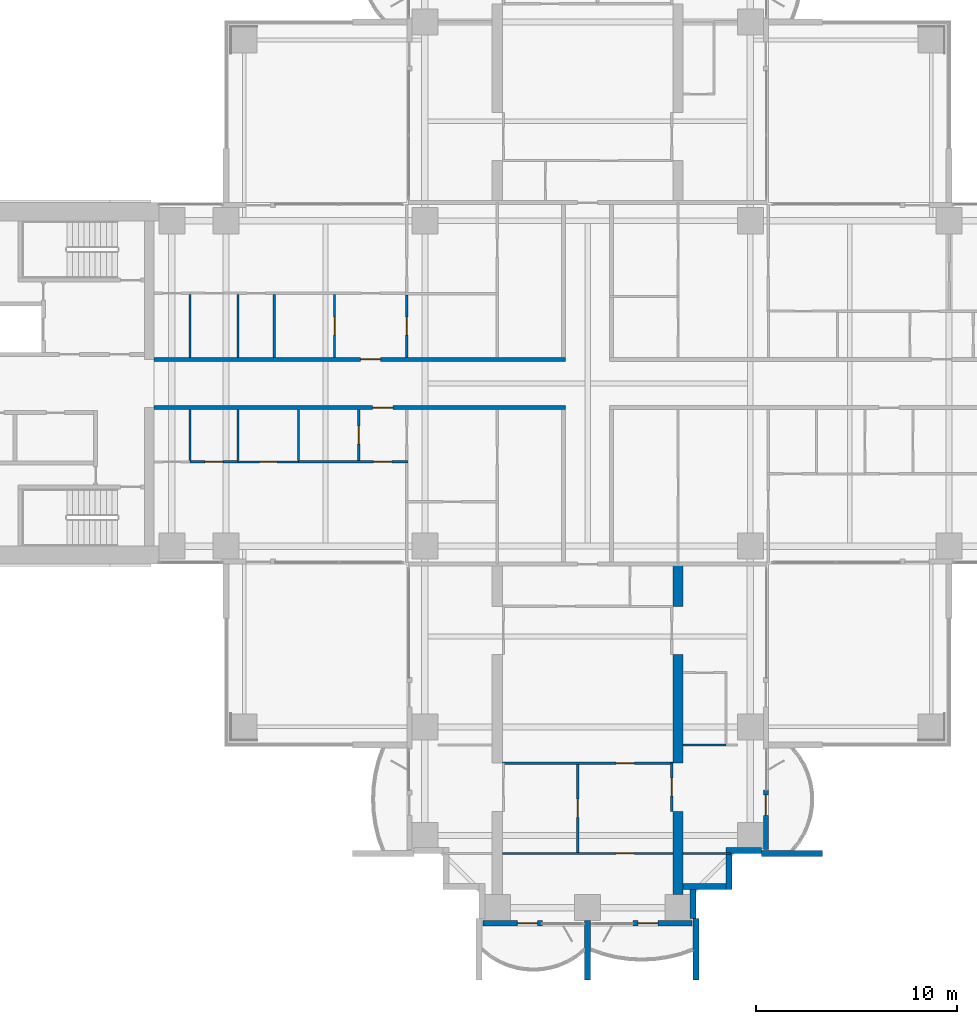
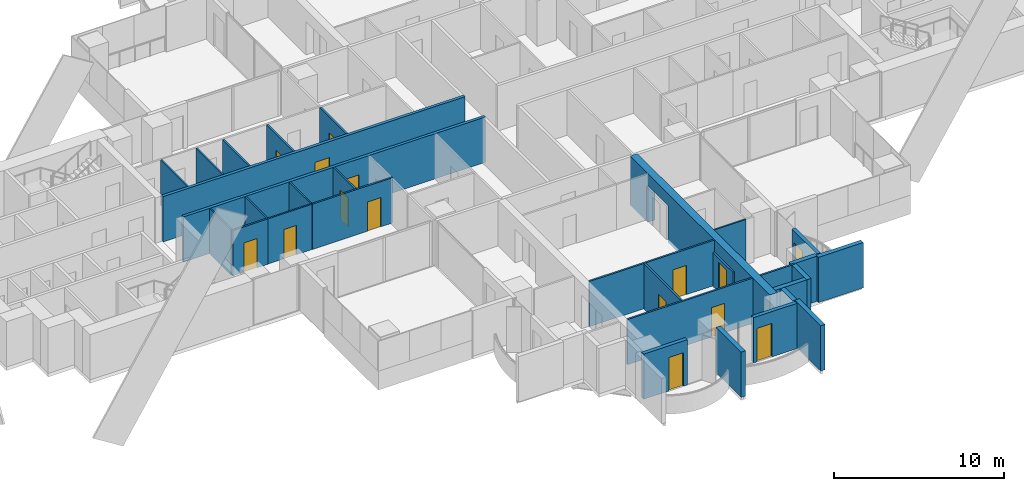
# One storey, part 12 of 21: 31 walls, 15 doors, 15 openings.
"""IFC4 building model written with IfcOpenShell, lengths in metres."""

from ifc_helpers import new_model, si_unit, direction, frame, frame_2d, origin, place, context, subcontext, project, spatial, polyline, rectangle, outline, extrude, material, layer, layer_set, material_profile, profile_set, type_object, element, fill, save


model = new_model("IFC4")

# Units and contexts
model_context = context("Model", 3, precision=1e-05, world=origin(), true_north=direction((0.0, 1.0)))
body_context = subcontext(model_context, "Body", "Model", "MODEL_VIEW")
ifc_project = project(units=[si_unit("LENGTHUNIT", "METRE"), si_unit("AREAUNIT", "SQUARE_METRE"), si_unit("VOLUMEUNIT", "CUBIC_METRE"), si_unit("PLANEANGLEUNIT", "RADIAN"), si_unit("MASSUNIT", "GRAM", prefix="KILO")], contexts=[model_context])

# Site, building, storey
site_placement = place(None, origin())
site = spatial("IfcSite", under=ifc_project, at=site_placement, CompositionType="ELEMENT")
building_placement = place(site_placement, origin())
building = spatial("IfcBuilding", under=site, at=building_placement, Name="Perihelion Cross Residences", CompositionType="ELEMENT")
storey_placement = place(building_placement, frame((0.0, 0.0, 75.0)))
storey = spatial("IfcBuildingStorey", under=building, at=storey_placement, Name="L16", CompositionType="ELEMENT", Elevation=75.0)

# Wall, opening, door
ifc_material_1 = material(Name="Plasterboard partition")
ifc_layer_1 = layer(ifc_material_1, 0.199951171875)
ifc_layer_set_1 = layer_set([ifc_layer_1], Name="Apartment separation wall 200")
wall_type_1 = type_object("IfcWallType", Name="Apartment separation wall 200", PredefinedType="PARTITIONING", material=ifc_layer_set_1)
wall_1_placement = place(storey_placement, frame((-21.60009765625, 1.199951171875, 0.0), z_axis=(0.0, 0.0, 1.0), x_axis=(1.0, 0.0, 0.0)))
wall_1 = element("IfcWall", 1, at=wall_1_placement, inside=storey, type_object=wall_type_1, Name="Partition L16 W005", PredefinedType="PARTITIONING", context=body_context, shape_type="SweptSolid", body=[
    extrude(rectangle(XDim=20.5, YDim=0.199951171875, at=frame_2d((10.25, 0.0))), origin(), (0.0, 0.0, 1.0), 3.25),
])
opening_1_placement = place(wall_1_placement, frame((10.300048828125, 0.0, 0.0)))
opening_1 = element("IfcOpeningElement", 2, at=opening_1_placement, cuts=wall_1, Name="Opening L16.A48", PredefinedType="OPENING", context=body_context, shape_type="SweptSolid", body=[
    extrude(rectangle(XDim=1.0, YDim=2.10009765625, at=frame_2d((0.5, 1.050048828125))), frame((0.0, 0.10986328125, 0.0), z_axis=(0.0, -1.0, 0.0), x_axis=(1.0, 0.0, 0.0)), (0.0, 0.0, 1.0), 0.219970703125),
])
ifc_material_2 = material(Name="Timber door leaf", Category="wood")
door_type_1 = type_object("IfcDoorType", Name="Flat entrance door 1000 x 2100", OperationType="SINGLE_SWING_LEFT", PredefinedType="DOOR", material=ifc_material_2)
door_1_placement = place(opening_1_placement, origin())
door_1 = element("IfcDoor", 3, at=door_1_placement, inside=storey, type_object=door_type_1, Name="Door L16.A48", OperationType="SINGLE_SWING_RIGHT", OverallHeight=2.10009765625, OverallWidth=1.0, PredefinedType="DOOR", context=body_context, shape_type="SweptSolid", body=[
    extrude(rectangle(XDim=1.0, YDim=2.10009765625, at=frame_2d((0.5, 1.050048828125))), frame((0.0, 0.02490234375, 0.0), z_axis=(0.0, -1.0, 0.0), x_axis=(1.0, 0.0, 0.0)), (0.0, 0.0, 1.0), 0.050048828125),
])
fill(opening_1, door_1)

wall_2_placement = place(storey_placement, frame((-1.10009765625, -1.199951171875, 0.0), z_axis=(0.0, 0.0, 1.0), x_axis=(-1.0, 0.0, 0.0)))
wall_2 = element("IfcWall", 4, at=wall_2_placement, inside=storey, type_object=wall_type_1, Name="Partition L16 W007", PredefinedType="PARTITIONING", context=body_context, shape_type="SweptSolid", body=[
    extrude(rectangle(XDim=20.5, YDim=0.199951171875, at=frame_2d((10.25, 0.0))), origin(), (0.0, 0.0, 1.0), 3.25),
])
opening_2_placement = place(wall_2_placement, frame((8.60009765625, 0.0, 0.0)))
opening_2 = element("IfcOpeningElement", 5, at=opening_2_placement, cuts=wall_2, Name="Opening L16.A49", PredefinedType="OPENING", context=body_context, shape_type="SweptSolid", body=[
    extrude(rectangle(XDim=1.0, YDim=2.10009765625, at=frame_2d((0.5, 1.050048828125))), frame((0.0, 0.10986328125, 0.0), z_axis=(0.0, -1.0, 0.0), x_axis=(1.0, 0.0, 0.0)), (0.0, 0.0, 1.0), 0.219970703125),
])
door_2_placement = place(opening_2_placement, origin())
door_2 = element("IfcDoor", 6, at=door_2_placement, inside=storey, type_object=door_type_1, Name="Door L16.A49", OperationType="SINGLE_SWING_LEFT", OverallHeight=2.10009765625, OverallWidth=1.0, PredefinedType="DOOR", context=body_context, shape_type="SweptSolid", body=[
    extrude(rectangle(XDim=1.0, YDim=2.10009765625, at=frame_2d((0.5, 1.050048828125))), frame((0.0, 0.02490234375, 0.0), z_axis=(0.0, -1.0, 0.0), x_axis=(1.0, 0.0, 0.0)), (0.0, 0.0, 1.0), 0.050048828125),
])
fill(opening_2, door_2)

ifc_material_3 = material(Name="Concrete C30/37, bronze-clad", Category="concrete")
ifc_layer_2 = layer(ifc_material_3, 0.25)
ifc_layer_set_2 = layer_set([ifc_layer_2], Name="Bronze-clad pier wall 250")
wall_type_2 = type_object("IfcWallType", Name="Bronze-clad pier wall 250", PredefinedType="SOLIDWALL", material=ifc_layer_set_2)
wall_3_placement = place(storey_placement, frame((-5.199951171875, -26.875, 0.0), z_axis=(0.0, 0.0, 1.0), x_axis=(1.0, 0.0, 0.0)))
wall_3 = element("IfcWall", 7, at=wall_3_placement, inside=storey, type_object=wall_type_2, Name="Wall FW1 L16 south tip south bay 1 pier", PredefinedType="SOLIDWALL", context=body_context, shape_type="SweptSolid", body=[
    extrude(rectangle(XDim=2.949951171875, YDim=0.25, at=frame_2d((1.47509765625, 0.0))), origin(), (0.0, 0.0, 1.0), 3.25),
])
opening_3_placement = place(wall_3_placement, frame((1.699951171875, 0.0, 0.0)))
opening_3 = element("IfcOpeningElement", 8, at=opening_3_placement, cuts=wall_3, Name="Opening L16.E12", PredefinedType="OPENING", context=body_context, shape_type="SweptSolid", body=[
    extrude(rectangle(XDim=1.0, YDim=2.39990234375, at=frame_2d((0.5, 1.199951171875))), frame((0.0, 0.135009765625, 0.0), z_axis=(0.0, -1.0, 0.0), x_axis=(1.0, 0.0, 0.0)), (0.0, 0.0, 1.0), 0.27001953125),
])
ifc_material_4 = material(Name="Bronze anodised aluminium, glazed", Category="aluminium")
door_type_2 = type_object("IfcDoorType", Name="Balcony door 1000 x 2400", OperationType="NOTDEFINED", PredefinedType="DOOR", material=ifc_material_4)
door_3_placement = place(opening_3_placement, origin())
door_3 = element("IfcDoor", 9, at=door_3_placement, inside=storey, type_object=door_type_2, Name="Door L16.E12 south tip south bay 1", OperationType="SINGLE_SWING_LEFT", OverallHeight=2.39990234375, OverallWidth=1.0, PredefinedType="DOOR", context=body_context, shape_type="SweptSolid", body=[
    extrude(rectangle(XDim=1.0, YDim=2.39990234375, at=frame_2d((0.5, 1.199951171875))), frame((0.0, 0.02490234375, 0.0), z_axis=(0.0, -1.0, 0.0), x_axis=(1.0, 0.0, 0.0)), (0.0, 0.0, 1.0), 0.050048828125),
])
fill(opening_3, door_3)

wall_4_placement = place(storey_placement, frame((2.25, -26.875, 0.0), z_axis=(0.0, 0.0, 1.0), x_axis=(1.0, 0.0, 0.0)))
wall_4 = element("IfcWall", 10, at=wall_4_placement, inside=storey, type_object=wall_type_2, Name="Wall FW1 L16 south tip south bay 2 pier", PredefinedType="SOLIDWALL", context=body_context, shape_type="SweptSolid", body=[
    extrude(rectangle(XDim=2.949951171875, YDim=0.25, at=frame_2d((1.47509765625, 0.0))), origin(), (0.0, 0.0, 1.0), 3.25),
])
opening_4_placement = place(wall_4_placement, frame((0.25, 0.0, 0.0)))
opening_4 = element("IfcOpeningElement", 11, at=opening_4_placement, cuts=wall_4, Name="Opening L16.E13", PredefinedType="OPENING", context=body_context, shape_type="SweptSolid", body=[
    extrude(rectangle(XDim=1.0, YDim=2.39990234375, at=frame_2d((0.5, 1.199951171875))), frame((0.0, 0.135009765625, 0.0), z_axis=(0.0, -1.0, 0.0), x_axis=(1.0, 0.0, 0.0)), (0.0, 0.0, 1.0), 0.27001953125),
])
door_4_placement = place(opening_4_placement, origin())
door_4 = element("IfcDoor", 12, at=door_4_placement, inside=storey, type_object=door_type_2, Name="Door L16.E13 south tip south bay 2", OperationType="SINGLE_SWING_RIGHT", OverallHeight=2.39990234375, OverallWidth=1.0, PredefinedType="DOOR", context=body_context, shape_type="SweptSolid", body=[
    extrude(rectangle(XDim=1.0, YDim=2.39990234375, at=frame_2d((0.5, 1.199951171875))), frame((0.0, 0.02490234375, 0.0), z_axis=(0.0, -1.0, 0.0), x_axis=(1.0, 0.0, 0.0)), (0.0, 0.0, 1.0), 0.050048828125),
])
fill(opening_4, door_4)

wall_5_placement = place(storey_placement, frame((8.875, -23.199951171875, 0.0), z_axis=(0.0, 0.0, 1.0), x_axis=(0.0, 1.0, 0.0)))
wall_5 = element("IfcWall", 13, at=wall_5_placement, inside=storey, type_object=wall_type_2, Name="Wall FW1 L16 south side east bay 1 pier", PredefinedType="SOLIDWALL", context=body_context, shape_type="SweptSolid", body=[
    extrude(rectangle(XDim=2.949951171875, YDim=0.25, at=frame_2d((1.47509765625, 0.0))), origin(), (0.0, 0.0, 1.0), 3.25),
])
opening_5_placement = place(wall_5_placement, frame((1.699951171875, 0.0, 0.0)))
opening_5 = element("IfcOpeningElement", 14, at=opening_5_placement, cuts=wall_5, Name="Opening L16.E14", PredefinedType="OPENING", context=body_context, shape_type="SweptSolid", body=[
    extrude(rectangle(XDim=1.0, YDim=2.39990234375, at=frame_2d((0.5, 1.199951171875))), frame((0.0, 0.135009765625, 0.0), z_axis=(0.0, -1.0, 0.0), x_axis=(1.0, 0.0, 0.0)), (0.0, 0.0, 1.0), 0.27001953125),
])
door_5_placement = place(opening_5_placement, origin())
door_5 = element("IfcDoor", 15, at=door_5_placement, inside=storey, type_object=door_type_2, Name="Door L16.E14 south side east bay 1", OperationType="SINGLE_SWING_LEFT", OverallHeight=2.39990234375, OverallWidth=1.0, PredefinedType="DOOR", context=body_context, shape_type="SweptSolid", body=[
    extrude(rectangle(XDim=1.0, YDim=2.39990234375, at=frame_2d((0.5, 1.199951171875))), frame((0.0, 0.02490234375, 0.0), z_axis=(0.0, -1.0, 0.0), x_axis=(1.0, 0.0, 0.0)), (0.0, 0.0, 1.0), 0.050048828125),
])
fill(opening_5, door_5)

# Walls
ifc_material_5 = material(Name="Concrete C30/37, bronze-clad", Category="concrete")
ifc_layer_3 = layer(ifc_material_5, 0.300048828125)
ifc_layer_set_3 = layer_set([ifc_layer_3], Name="Bronze-clad serration wall 300")
wall_type_3 = type_object("IfcWallType", Name="Bronze-clad serration wall 300", PredefinedType="SOLIDWALL", material=ifc_layer_set_3)
wall_6_placement = place(storey_placement, frame((5.25, -26.64990234375, 0.0), z_axis=(0.0, 0.0, 1.0), x_axis=(0.0, 1.0, 0.0)))
element("IfcWall", 16, at=wall_6_placement, inside=storey, type_object=wall_type_3, Name="Wall SR1 L16 south corner south-east 1", PredefinedType="SOLIDWALL", context=body_context, shape_type="SweptSolid", body=[
    extrude(rectangle(XDim=1.449951171875, YDim=0.300048828125, at=frame_2d((0.72509765625, 0.0))), origin(), (0.0, 0.0, 1.0), 3.25),
])
wall_7_placement = place(storey_placement, frame((4.75, -25.050048828125, 0.0), z_axis=(0.0, 0.0, 1.0), x_axis=(1.0, 0.0, 0.0)))
element("IfcWall", 17, at=wall_7_placement, inside=storey, type_object=wall_type_3, Name="Wall SR1 L16 south corner south-east 2", PredefinedType="SOLIDWALL", context=body_context, shape_type="SweptSolid", body=[
    extrude(rectangle(XDim=2.14990234375, YDim=0.300048828125, at=frame_2d((1.074951171875, 0.0))), origin(), (0.0, 0.0, 1.0), 3.25),
])
wall_8_placement = place(storey_placement, frame((7.050048828125, -25.199951171875, 0.0), z_axis=(0.0, 0.0, 1.0), x_axis=(0.0, 1.0, 0.0)))
element("IfcWall", 18, at=wall_8_placement, inside=storey, type_object=wall_type_3, Name="Wall SR1 L16 south corner south-east 3", PredefinedType="SOLIDWALL", context=body_context, shape_type="SweptSolid", body=[
    extrude(rectangle(XDim=1.800048828125, YDim=0.300048828125, at=frame_2d((0.89990234375, 0.0))), origin(), (0.0, 0.0, 1.0), 3.25),
])
wall_9_placement = place(storey_placement, frame((6.89990234375, -23.25, 0.0), z_axis=(0.0, 0.0, 1.0), x_axis=(1.0, 0.0, 0.0)))
element("IfcWall", 19, at=wall_9_placement, inside=storey, type_object=wall_type_3, Name="Wall SR1 L16 south corner south-east 4", PredefinedType="SOLIDWALL", context=body_context, shape_type="SweptSolid", body=[
    extrude(rectangle(XDim=1.75, YDim=0.300048828125, at=frame_2d((0.875, 0.0))), origin(), (0.0, 0.0, 1.0), 3.25),
])

# Wall, opening, door
ifc_material_6 = material(Name="Plasterboard partition")
ifc_layer_4 = layer(ifc_material_6, 0.1201171875)
ifc_layer_set_4 = layer_set([ifc_layer_4], Name="Infill panel 120")
wall_type_4 = type_object("IfcWallType", Name="Infill panel 120", PredefinedType="PARTITIONING", material=ifc_layer_set_4)
wall_10_placement = place(storey_placement, frame((4.18994140625, -18.89990234375, 0.0), z_axis=(0.0, 0.0, 1.0), x_axis=(0.0, -1.0, 0.0)))
wall_10 = element("IfcWall", 20, at=wall_10_placement, inside=storey, type_object=wall_type_4, Name="Partition L16 WI06", PredefinedType="PARTITIONING", context=body_context, shape_type="SweptSolid", body=[
    extrude(rectangle(XDim=2.400146484375, YDim=0.1201171875, at=frame_2d((1.2001953125, 0.0))), origin(), (0.0, 0.0, 1.0), 2.39990234375),
])
opening_6_placement = place(wall_10_placement, frame((0.75, 0.0, 0.0)))
opening_6 = element("IfcOpeningElement", 21, at=opening_6_placement, cuts=wall_10, Name="Opening L16.A55", PredefinedType="OPENING", context=body_context, shape_type="SweptSolid", body=[
    extrude(rectangle(XDim=0.89990234375, YDim=2.10009765625, at=frame_2d((0.449951171875, 1.050048828125))), frame((0.0, 0.070068359375, 0.0), z_axis=(0.0, -1.0, 0.0), x_axis=(1.0, 0.0, 0.0)), (0.0, 0.0, 1.0), 0.14013671875),
])
ifc_material_7 = material(Name="Timber door leaf", Category="wood")
door_type_3 = type_object("IfcDoorType", Name="Interior room door 900 x 2100", OperationType="SINGLE_SWING_LEFT", PredefinedType="DOOR", material=ifc_material_7)
door_6_placement = place(opening_6_placement, origin())
door_6 = element("IfcDoor", 22, at=door_6_placement, inside=storey, type_object=door_type_3, Name="Door L16.A55", OperationType="SINGLE_SWING_RIGHT", OverallHeight=2.10009765625, OverallWidth=0.89990234375, PredefinedType="DOOR", context=body_context, shape_type="SweptSolid", body=[
    extrude(rectangle(XDim=0.89990234375, YDim=2.10009765625, at=frame_2d((0.449951171875, 1.050048828125))), frame((0.0, 0.02490234375, 0.0), z_axis=(0.0, -1.0, 0.0), x_axis=(1.0, 0.0, 0.0)), (0.0, 0.0, 1.0), 0.050048828125),
])
fill(opening_6, door_6)

ifc_material_8 = material(Name="Plasterboard partition")
ifc_layer_5 = layer(ifc_material_8, 0.1201171875)
ifc_layer_set_5 = layer_set([ifc_layer_5], Name="Partition wall 120")
wall_type_5 = type_object("IfcWallType", Name="Partition wall 120", PredefinedType="PARTITIONING", material=ifc_layer_set_5)
wall_11_placement = place(storey_placement, frame((-12.60009765625, 1.300048828125, 0.0), z_axis=(0.0, 0.0, 1.0), x_axis=(0.0, 1.0, 0.0)))
wall_11 = element("IfcWall", 23, at=wall_11_placement, inside=storey, type_object=wall_type_5, Name="Partition L16 W031", PredefinedType="PARTITIONING", context=body_context, shape_type="SweptSolid", body=[
    extrude(rectangle(XDim=3.139892578125, YDim=0.1201171875, at=frame_2d((1.56982421875, 0.0))), origin(), (0.0, 0.0, 1.0), 3.25),
])
opening_7_placement = place(wall_11_placement, frame((1.1201171875, 0.0, 0.0)))
opening_7 = element("IfcOpeningElement", 24, at=opening_7_placement, cuts=wall_11, Name="Opening L16.A18", PredefinedType="OPENING", context=body_context, shape_type="SweptSolid", body=[
    extrude(rectangle(XDim=0.89990234375, YDim=2.10009765625, at=frame_2d((0.449951171875, 1.050048828125))), frame((0.0, 0.070068359375, 0.0), z_axis=(0.0, -1.0, 0.0), x_axis=(1.0, 0.0, 0.0)), (0.0, 0.0, 1.0), 0.14013671875),
])
door_7_placement = place(opening_7_placement, origin())
door_7 = element("IfcDoor", 25, at=door_7_placement, inside=storey, type_object=door_type_3, Name="Door L16.A18", OperationType="SINGLE_SWING_RIGHT", OverallHeight=2.10009765625, OverallWidth=0.89990234375, PredefinedType="DOOR", context=body_context, shape_type="SweptSolid", body=[
    extrude(rectangle(XDim=0.89990234375, YDim=2.10009765625, at=frame_2d((0.449951171875, 1.050048828125))), frame((0.0, 0.02490234375, 0.0), z_axis=(0.0, -1.0, 0.0), x_axis=(1.0, 0.0, 0.0)), (0.0, 0.0, 1.0), 0.050048828125),
])
fill(opening_7, door_7)

wall_12_placement = place(storey_placement, frame((-9.0, 4.416015625, 0.0), z_axis=(0.0, 0.0, 1.0), x_axis=(0.0, -1.0, 0.0)))
wall_12 = element("IfcWall", 26, at=wall_12_placement, inside=storey, type_object=wall_type_5, Name="Partition L16 W033", PredefinedType="PARTITIONING", context=body_context, shape_type="SweptSolid", body=[
    extrude(rectangle(XDim=3.115966796875, YDim=0.1201171875, at=frame_2d((1.55810546875, 0.0))), origin(), (0.0, 0.0, 1.0), 3.25),
])
opening_8_placement = place(wall_12_placement, frame((1.10791015625, 0.0, 0.0)))
opening_8 = element("IfcOpeningElement", 27, at=opening_8_placement, cuts=wall_12, Name="Opening L16.A19", PredefinedType="OPENING", context=body_context, shape_type="SweptSolid", body=[
    extrude(rectangle(XDim=0.89990234375, YDim=2.10009765625, at=frame_2d((0.449951171875, 1.050048828125))), frame((0.0, 0.070068359375, 0.0), z_axis=(0.0, -1.0, 0.0), x_axis=(1.0, 0.0, 0.0)), (0.0, 0.0, 1.0), 0.14013671875),
])
door_8_placement = place(opening_8_placement, origin())
door_8 = element("IfcDoor", 28, at=door_8_placement, inside=storey, type_object=door_type_3, Name="Door L16.A19", OperationType="SINGLE_SWING_RIGHT", OverallHeight=2.10009765625, OverallWidth=0.89990234375, PredefinedType="DOOR", context=body_context, shape_type="SweptSolid", body=[
    extrude(rectangle(XDim=0.89990234375, YDim=2.10009765625, at=frame_2d((0.449951171875, 1.050048828125))), frame((0.0, 0.02490234375, 0.0), z_axis=(0.0, -1.0, 0.0), x_axis=(1.0, 0.0, 0.0)), (0.0, 0.0, 1.0), 0.050048828125),
])
fill(opening_8, door_8)

# Wall
wall_13_placement = place(storey_placement, frame((-15.60009765625, 1.300048828125, 0.0), z_axis=(0.0, 0.0, 1.0), x_axis=(0.0, 1.0, 0.0)))
element("IfcWall", 29, at=wall_13_placement, inside=storey, type_object=wall_type_5, Name="Partition L16 W034", PredefinedType="PARTITIONING", context=body_context, shape_type="SweptSolid", body=[
    extrude(rectangle(XDim=3.139892578125, YDim=0.1201171875, at=frame_2d((1.56982421875, 0.0))), origin(), (0.0, 0.0, 1.0), 3.25),
])

# Wall, opening, door
wall_14_placement = place(storey_placement, frame((-11.39990234375, -3.840087890625, 0.0), z_axis=(0.0, 0.0, 1.0), x_axis=(0.0, 1.0, 0.0)))
wall_14 = element("IfcWall", 30, at=wall_14_placement, inside=storey, type_object=wall_type_5, Name="Partition L16 W042", PredefinedType="PARTITIONING", context=body_context, shape_type="SweptSolid", body=[
    extrude(rectangle(XDim=2.5400390625, YDim=0.1201171875, at=frame_2d((1.27001953125, 0.0))), origin(), (0.0, 0.0, 1.0), 3.25),
])
opening_9_placement = place(wall_14_placement, frame((0.820068359375, 0.0, 0.0)))
opening_9 = element("IfcOpeningElement", 31, at=opening_9_placement, cuts=wall_14, Name="Opening L16.A27", PredefinedType="OPENING", context=body_context, shape_type="SweptSolid", body=[
    extrude(rectangle(XDim=0.89990234375, YDim=2.10009765625, at=frame_2d((0.449951171875, 1.050048828125))), frame((0.0, 0.070068359375, 0.0), z_axis=(0.0, -1.0, 0.0), x_axis=(1.0, 0.0, 0.0)), (0.0, 0.0, 1.0), 0.14013671875),
])
door_9_placement = place(opening_9_placement, origin())
door_9 = element("IfcDoor", 32, at=door_9_placement, inside=storey, type_object=door_type_3, Name="Door L16.A27", OperationType="SINGLE_SWING_LEFT", OverallHeight=2.10009765625, OverallWidth=0.89990234375, PredefinedType="DOOR", context=body_context, shape_type="SweptSolid", body=[
    extrude(rectangle(XDim=0.89990234375, YDim=2.10009765625, at=frame_2d((0.449951171875, 1.050048828125))), frame((0.0, 0.02490234375, 0.0), z_axis=(0.0, -1.0, 0.0), x_axis=(1.0, 0.0, 0.0)), (0.0, 0.0, 1.0), 0.050048828125),
])
fill(opening_9, door_9)

wall_15_placement = place(storey_placement, frame((-8.93994140625, -3.89990234375, 0.0), z_axis=(0.0, 0.0, 1.0), x_axis=(-1.0, 0.0, 0.0)))
wall_15 = element("IfcWall", 33, at=wall_15_placement, inside=storey, type_object=wall_type_5, Name="Partition L16 W043", PredefinedType="PARTITIONING", context=body_context, shape_type="SweptSolid", body=[
    extrude(rectangle(XDim=5.4599609375, YDim=0.1201171875, at=frame_2d((2.72998046875, 0.0))), origin(), (0.0, 0.0, 1.0), 3.25),
])
opening_10_placement = place(wall_15_placement, frame((0.81005859375, 0.0, 0.0)))
opening_10 = element("IfcOpeningElement", 34, at=opening_10_placement, cuts=wall_15, Name="Opening L16.A30", PredefinedType="OPENING", context=body_context, shape_type="SweptSolid", body=[
    extrude(rectangle(XDim=0.89990234375, YDim=2.10009765625, at=frame_2d((0.449951171875, 1.050048828125))), frame((0.0, 0.070068359375, 0.0), z_axis=(0.0, -1.0, 0.0), x_axis=(1.0, 0.0, 0.0)), (0.0, 0.0, 1.0), 0.14013671875),
])
door_10_placement = place(opening_10_placement, origin())
door_10 = element("IfcDoor", 35, at=door_10_placement, inside=storey, type_object=door_type_3, Name="Door L16.A30", OperationType="SINGLE_SWING_LEFT", OverallHeight=2.10009765625, OverallWidth=0.89990234375, PredefinedType="DOOR", context=body_context, shape_type="SweptSolid", body=[
    extrude(rectangle(XDim=0.89990234375, YDim=2.10009765625, at=frame_2d((0.449951171875, 1.050048828125))), frame((0.0, 0.02490234375, 0.0), z_axis=(0.0, -1.0, 0.0), x_axis=(1.0, 0.0, 0.0)), (0.0, 0.0, 1.0), 0.050048828125),
])
fill(opening_10, door_10)

wall_16_placement = place(storey_placement, frame((-17.39990234375, -3.89990234375, 0.0), z_axis=(0.0, 0.0, 1.0), x_axis=(-1.0, 0.0, 0.0)))
wall_16 = element("IfcWall", 36, at=wall_16_placement, inside=storey, type_object=wall_type_5, Name="Partition L16 W049", PredefinedType="PARTITIONING", context=body_context, shape_type="SweptSolid", body=[
    extrude(rectangle(XDim=2.400146484375, YDim=0.1201171875, at=frame_2d((1.2001953125, 0.0))), origin(), (0.0, 0.0, 1.0), 3.25),
])
opening_11_placement = place(wall_16_placement, frame((0.75, 0.0, 0.0)))
opening_11 = element("IfcOpeningElement", 37, at=opening_11_placement, cuts=wall_16, Name="Opening L16.A31", PredefinedType="OPENING", context=body_context, shape_type="SweptSolid", body=[
    extrude(rectangle(XDim=0.89990234375, YDim=2.10009765625, at=frame_2d((0.449951171875, 1.050048828125))), frame((0.0, 0.070068359375, 0.0), z_axis=(0.0, -1.0, 0.0), x_axis=(1.0, 0.0, 0.0)), (0.0, 0.0, 1.0), 0.14013671875),
])
door_11_placement = place(opening_11_placement, origin())
door_11 = element("IfcDoor", 38, at=door_11_placement, inside=storey, type_object=door_type_3, Name="Door L16.A31", OperationType="SINGLE_SWING_LEFT", OverallHeight=2.10009765625, OverallWidth=0.89990234375, PredefinedType="DOOR", context=body_context, shape_type="SweptSolid", body=[
    extrude(rectangle(XDim=0.89990234375, YDim=2.10009765625, at=frame_2d((0.449951171875, 1.050048828125))), frame((0.0, 0.02490234375, 0.0), z_axis=(0.0, -1.0, 0.0), x_axis=(1.0, 0.0, 0.0)), (0.0, 0.0, 1.0), 0.050048828125),
])
fill(opening_11, door_11)

wall_17_placement = place(storey_placement, frame((4.25, -18.89990234375, 0.0), z_axis=(0.0, 0.0, 1.0), x_axis=(-1.0, 0.0, 0.0)))
wall_17 = element("IfcWall", 39, at=wall_17_placement, inside=storey, type_object=wall_type_5, Name="Partition L16 W069", PredefinedType="PARTITIONING", context=body_context, shape_type="SweptSolid", body=[
    extrude(rectangle(XDim=8.5, YDim=0.1201171875, at=frame_2d((4.25, 0.0))), origin(), (0.0, 0.0, 1.0), 3.25),
])
opening_12_placement = place(wall_17_placement, frame((1.925048828125, 0.0, 0.0)))
opening_12 = element("IfcOpeningElement", 40, at=opening_12_placement, cuts=wall_17, Name="Opening L16.A42", PredefinedType="OPENING", context=body_context, shape_type="SweptSolid", body=[
    extrude(rectangle(XDim=0.89990234375, YDim=2.10009765625, at=frame_2d((0.449951171875, 1.050048828125))), frame((0.0, 0.070068359375, 0.0), z_axis=(0.0, -1.0, 0.0), x_axis=(1.0, 0.0, 0.0)), (0.0, 0.0, 1.0), 0.14013671875),
])
door_12_placement = place(opening_12_placement, origin())
door_12 = element("IfcDoor", 41, at=door_12_placement, inside=storey, type_object=door_type_3, Name="Door L16.A42", OperationType="SINGLE_SWING_LEFT", OverallHeight=2.10009765625, OverallWidth=0.89990234375, PredefinedType="DOOR", context=body_context, shape_type="SweptSolid", body=[
    extrude(rectangle(XDim=0.89990234375, YDim=2.10009765625, at=frame_2d((0.449951171875, 1.050048828125))), frame((0.0, 0.02490234375, 0.0), z_axis=(0.0, -1.0, 0.0), x_axis=(1.0, 0.0, 0.0)), (0.0, 0.0, 1.0), 0.050048828125),
])
fill(opening_12, door_12)

wall_18_placement = place(storey_placement, frame((-0.5, -23.340087890625, 0.0), z_axis=(0.0, 0.0, 1.0), x_axis=(0.0, 1.0, 0.0)))
wall_18 = element("IfcWall", 42, at=wall_18_placement, inside=storey, type_object=wall_type_5, Name="Partition L16 W070", PredefinedType="PARTITIONING", context=body_context, shape_type="SweptSolid", body=[
    extrude(rectangle(XDim=4.380126953125, YDim=0.1201171875, at=frame_2d((2.18994140625, 0.0))), origin(), (0.0, 0.0, 1.0), 3.25),
])
opening_13_placement = place(wall_18_placement, frame((1.739990234375, 0.0, 0.0)))
opening_13 = element("IfcOpeningElement", 43, at=opening_13_placement, cuts=wall_18, Name="Opening L16.A43", PredefinedType="OPENING", context=body_context, shape_type="SweptSolid", body=[
    extrude(rectangle(XDim=0.89990234375, YDim=2.10009765625, at=frame_2d((0.449951171875, 1.050048828125))), frame((0.0, 0.070068359375, 0.0), z_axis=(0.0, -1.0, 0.0), x_axis=(1.0, 0.0, 0.0)), (0.0, 0.0, 1.0), 0.14013671875),
])
door_13_placement = place(opening_13_placement, origin())
door_13 = element("IfcDoor", 44, at=door_13_placement, inside=storey, type_object=door_type_3, Name="Door L16.A43", OperationType="SINGLE_SWING_RIGHT", OverallHeight=2.10009765625, OverallWidth=0.89990234375, PredefinedType="DOOR", context=body_context, shape_type="SweptSolid", body=[
    extrude(rectangle(XDim=0.89990234375, YDim=2.10009765625, at=frame_2d((0.449951171875, 1.050048828125))), frame((0.0, 0.02490234375, 0.0), z_axis=(0.0, -1.0, 0.0), x_axis=(1.0, 0.0, 0.0)), (0.0, 0.0, 1.0), 0.050048828125),
])
fill(opening_13, door_13)

wall_19_placement = place(storey_placement, frame((4.25, -23.39990234375, 0.0), z_axis=(0.0, 0.0, 1.0), x_axis=(-1.0, 0.0, 0.0)))
wall_19 = element("IfcWall", 45, at=wall_19_placement, inside=storey, type_object=wall_type_5, Name="Partition L16 W071", PredefinedType="PARTITIONING", context=body_context, shape_type="SweptSolid", body=[
    extrude(rectangle(XDim=8.5, YDim=0.1201171875, at=frame_2d((4.25, 0.0))), origin(), (0.0, 0.0, 1.0), 3.25),
])
opening_14_placement = place(wall_19_placement, frame((1.925048828125, 0.0, 0.0)))
opening_14 = element("IfcOpeningElement", 46, at=opening_14_placement, cuts=wall_19, Name="Opening L16.A44", PredefinedType="OPENING", context=body_context, shape_type="SweptSolid", body=[
    extrude(rectangle(XDim=0.89990234375, YDim=2.10009765625, at=frame_2d((0.449951171875, 1.050048828125))), frame((0.0, 0.070068359375, 0.0), z_axis=(0.0, -1.0, 0.0), x_axis=(1.0, 0.0, 0.0)), (0.0, 0.0, 1.0), 0.14013671875),
])
door_14_placement = place(opening_14_placement, origin())
door_14 = element("IfcDoor", 47, at=door_14_placement, inside=storey, type_object=door_type_3, Name="Door L16.A44", OperationType="SINGLE_SWING_RIGHT", OverallHeight=2.10009765625, OverallWidth=0.89990234375, PredefinedType="DOOR", context=body_context, shape_type="SweptSolid", body=[
    extrude(rectangle(XDim=0.89990234375, YDim=2.10009765625, at=frame_2d((0.449951171875, 1.050048828125))), frame((0.0, 0.02490234375, 0.0), z_axis=(0.0, -1.0, 0.0), x_axis=(1.0, 0.0, 0.0)), (0.0, 0.0, 1.0), 0.050048828125),
])
fill(opening_14, door_14)

# Walls
wall_20_placement = place(storey_placement, frame((7.1201171875, -23.39990234375, 0.0), z_axis=(0.0, 0.0, 1.0), x_axis=(-1.0, 0.0, 0.0)))
element("IfcWall", 48, at=wall_20_placement, inside=storey, type_object=wall_type_5, Name="Partition L16 W076", PredefinedType="PARTITIONING", context=body_context, shape_type="SweptSolid", body=[
    extrude(rectangle(XDim=2.3701171875, YDim=0.1201171875, at=frame_2d((1.18505859375, 0.0))), origin(), (0.0, 0.0, 1.0), 3.25),
])
ifc_material_9 = material(Name="Precast concrete C50/60", Category="concrete")
ifc_layer_6 = layer(ifc_material_9, 0.300048828125)
ifc_layer_set_6 = layer_set([ifc_layer_6], Name="Precast concrete C50/60 blade wall 300")
wall_type_6 = type_object("IfcWallType", Name="Precast concrete C50/60 blade wall 300", PredefinedType="SOLIDWALL", material=ifc_layer_set_6)
wall_21_placement = place(storey_placement, frame((0.0, -26.75, 0.0), z_axis=(0.0, 0.0, 1.0), x_axis=(0.0, -1.0, 0.0)))
element("IfcWall", 49, at=wall_21_placement, inside=storey, type_object=wall_type_6, Name="Wall BL1 L16 no. 9", PredefinedType="SOLIDWALL", context=body_context, shape_type="SweptSolid", body=[
    extrude(rectangle(XDim=2.949951171875, YDim=0.300048828125, at=frame_2d((1.47509765625, 0.0))), origin(), (0.0, 0.0, 1.0), 3.25),
])
for number, where, z_axis, x_axis, name in (
    (50, (5.39990234375, -26.64990234375, 0.0), (0.0, 0.0, 1.0), (0.0, -1.0, 0.0), "Wall BL1 L16 no. 13"),
    (51, (8.64990234375, -23.39990234375, 0.0), (0.0, 0.0, 1.0), (1.0, 0.0, 0.0), "Wall BL1 L16 no. 16"),
):
    element("IfcWall", number, at=place(storey_placement, frame(where, z_axis=z_axis, x_axis=x_axis)), inside=storey, type_object=wall_type_6, Name=name, PredefinedType="SOLIDWALL", context=body_context, shape_type="SweptSolid", body=[
        extrude(rectangle(XDim=3.050048828125, YDim=0.300048828125, at=frame_2d((1.52490234375, 0.0))), origin(), (0.0, 0.0, 1.0), 3.25),
    ])
ifc_material_10 = material(Name="Concrete C60/75", Category="concrete")
ifc_material_profile = material_profile(ifc_material_10, outline(polyline([(0.0, 0.0), (4.14990234375, 0.0), (4.14990234375, 2.64990234375), (6.550048828125, 2.64990234375), (6.550048828125, 0.0), (11.949951171875, 0.0), (11.949951171875, 2.64990234375), (14.35009765625, 2.64990234375), (14.35009765625, 0.0), (16.449951171875, 0.0), (16.449951171875, 3.5), (0.0, 3.5), (0.0, 0.0)])), Name="Tip spine wall")
ifc_profile_set = profile_set([ifc_material_profile], Name="Concrete C60/75")
wall_type_7 = type_object("IfcWallType", Name="Tip spine wall 500 with 2 door openings 16450 long 3500 high concrete C60/75 hand A", PredefinedType="SHEAR", material=ifc_profile_set)
wall_22_placement = place(storey_placement, frame((4.25, -25.449951171875, -0.25), z_axis=(1.0, 0.0, 0.0), x_axis=(0.0, 1.0, 0.0)))
element("IfcWall", 52, at=wall_22_placement, inside=storey, type_object=wall_type_7, Name="Shear wall SW24 L16 south east", PredefinedType="SHEAR", context=body_context, shape_type="SweptSolid", body=[
    extrude(outline(polyline([(0.0, 0.0), (4.14990234375, 0.0), (4.14990234375, 2.64990234375), (6.550048828125, 2.64990234375), (6.550048828125, 0.0), (11.949951171875, 0.0), (11.949951171875, 2.64990234375), (14.35009765625, 2.64990234375), (14.35009765625, 0.0), (16.449951171875, 0.0), (16.449951171875, 3.5), (0.0, 3.5), (0.0, 0.0)])), origin(), (0.0, 0.0, 1.0), 0.5),
])
ifc_material_11 = material(Name="Plasterboard partition")
ifc_layer_7 = layer(ifc_material_11, 0.10009765625)
ifc_layer_set_7 = layer_set([ifc_layer_7], Name="Wet room wall 100")
wall_type_8 = type_object("IfcWallType", Name="Wet room wall 100", PredefinedType="PARTITIONING", material=ifc_layer_set_7)
for number, where, z_axis, x_axis, name in (
    (53, (-17.39990234375, 1.300048828125, 0.0), (0.0, 0.0, 1.0), (0.0, 1.0, 0.0), "Partition L16 W035"),
    (54, (-19.800048828125, 1.300048828125, 0.0), (0.0, 0.0, 1.0), (0.0, 1.0, 0.0), "Partition L16 W036"),
):
    element("IfcWall", number, at=place(storey_placement, frame(where, z_axis=z_axis, x_axis=x_axis)), inside=storey, type_object=wall_type_8, Name=name, PredefinedType="PARTITIONING", context=body_context, shape_type="SweptSolid", body=[
        extrude(rectangle(XDim=3.139892578125, YDim=0.10009765625, at=frame_2d((1.56982421875, 0.0))), origin(), (0.0, 0.0, 1.0), 3.25),
    ])
for number, where, z_axis, x_axis, name in (
    (55, (-14.39990234375, -3.840087890625, 0.0), (0.0, 0.0, 1.0), (0.0, 1.0, 0.0), "Partition L16 W045"),
    (56, (-17.39990234375, -3.840087890625, 0.0), (0.0, 0.0, 1.0), (0.0, 1.0, 0.0), "Partition L16 W046"),
):
    element("IfcWall", number, at=place(storey_placement, frame(where, z_axis=z_axis, x_axis=x_axis)), inside=storey, type_object=wall_type_8, Name=name, PredefinedType="PARTITIONING", context=body_context, shape_type="SweptSolid", body=[
        extrude(rectangle(XDim=2.5400390625, YDim=0.10009765625, at=frame_2d((1.27001953125, 0.0))), origin(), (0.0, 0.0, 1.0), 3.25),
    ])

# Wall, opening, door
wall_23_placement = place(storey_placement, frame((-14.39990234375, -3.89990234375, 0.0), z_axis=(0.0, 0.0, 1.0), x_axis=(-1.0, 0.0, 0.0)))
wall_23 = element("IfcWall", 57, at=wall_23_placement, inside=storey, type_object=wall_type_8, Name="Partition L16 W047", PredefinedType="PARTITIONING", context=body_context, shape_type="SweptSolid", body=[
    extrude(rectangle(XDim=3.0, YDim=0.10009765625, at=frame_2d((1.5, 0.0))), origin(), (0.0, 0.0, 1.0), 3.25),
])
opening_15_placement = place(wall_23_placement, frame((1.074951171875, 0.0, 0.0)))
opening_15 = element("IfcOpeningElement", 58, at=opening_15_placement, cuts=wall_23, Name="Opening L16.A24", PredefinedType="OPENING", context=body_context, shape_type="SweptSolid", body=[
    extrude(rectangle(XDim=0.85009765625, YDim=2.10009765625, at=frame_2d((0.425048828125, 1.050048828125))), frame((0.0, 0.06005859375, 0.0), z_axis=(0.0, -1.0, 0.0), x_axis=(1.0, 0.0, 0.0)), (0.0, 0.0, 1.0), 0.1201171875),
])
ifc_material_12 = material(Name="Timber door leaf", Category="wood")
door_type_4 = type_object("IfcDoorType", Name="Interior bathroom door 850 x 2100", OperationType="SINGLE_SWING_LEFT", PredefinedType="DOOR", material=ifc_material_12)
door_15_placement = place(opening_15_placement, origin())
door_15 = element("IfcDoor", 59, at=door_15_placement, inside=storey, type_object=door_type_4, Name="Door L16.A24", OperationType="SINGLE_SWING_RIGHT", OverallHeight=2.10009765625, OverallWidth=0.85009765625, PredefinedType="DOOR", context=body_context, shape_type="SweptSolid", body=[
    extrude(rectangle(XDim=0.85009765625, YDim=2.10009765625, at=frame_2d((0.425048828125, 1.050048828125))), frame((0.0, 0.02490234375, 0.0), z_axis=(0.0, -1.0, 0.0), x_axis=(1.0, 0.0, 0.0)), (0.0, 0.0, 1.0), 0.050048828125),
])
fill(opening_15, door_15)

# Walls
wall_24_placement = place(storey_placement, frame((-19.800048828125, -3.840087890625, 0.0), z_axis=(0.0, 0.0, 1.0), x_axis=(0.0, 1.0, 0.0)))
element("IfcWall", 60, at=wall_24_placement, inside=storey, type_object=wall_type_8, Name="Partition L16 W048", PredefinedType="PARTITIONING", context=body_context, shape_type="SweptSolid", body=[
    extrude(rectangle(XDim=2.5400390625, YDim=0.10009765625, at=frame_2d((1.27001953125, 0.0))), origin(), (0.0, 0.0, 1.0), 3.25),
])
wall_25_placement = place(storey_placement, frame((6.89990234375, -18.0, 0.0), z_axis=(0.0, 0.0, 1.0), x_axis=(-1.0, 0.0, 0.0)))
element("IfcWall", 61, at=wall_25_placement, inside=storey, type_object=wall_type_8, Name="Partition L16 W075", PredefinedType="PARTITIONING", context=body_context, shape_type="SweptSolid", body=[
    extrude(rectangle(XDim=2.14990234375, YDim=0.10009765625, at=frame_2d((1.074951171875, 0.0))), origin(), (0.0, 0.0, 1.0), 3.25),
])

save(model, "model.ifc")
